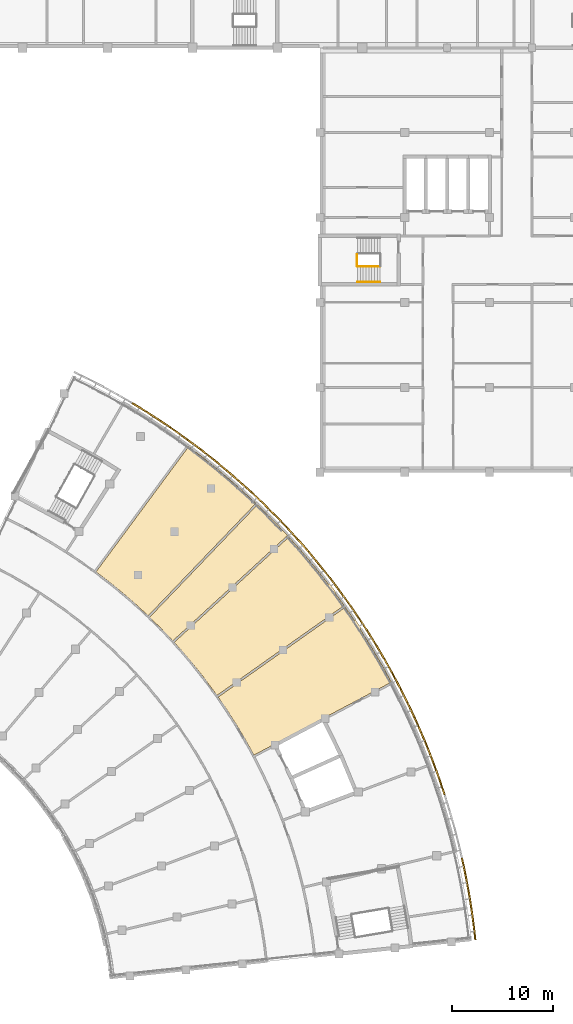
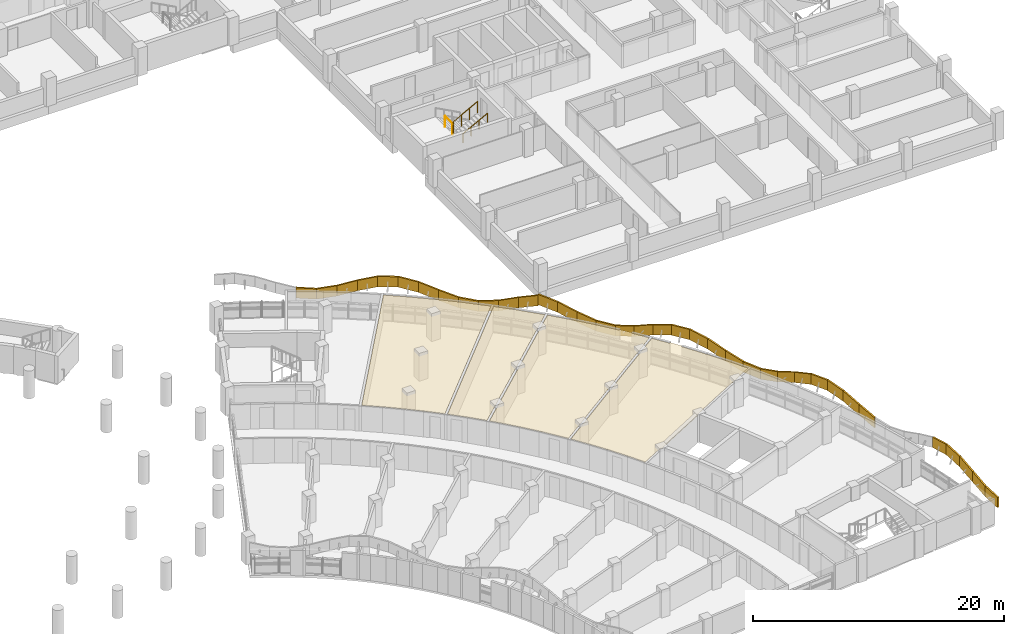
# One storey, part 86 of 89: 40 coverings, 3 railings.
"""IFC4 building model written with IfcOpenShell, lengths in metres."""

from ifc_helpers import new_model, si_unit, direction, frame, origin, origin_2d, place, context, subcontext, project, spatial, polyline, circle, outline, extrude, material, layer, layer_set, type_object, element, save


model = new_model("IFC4")

# Units and contexts
model_context = context("Model", 3, precision=1e-05, world=origin(), true_north=direction((0.0, 1.0)))
body_context = subcontext(model_context, "Body", "Model", "MODEL_VIEW")
ifc_project = project(units=[si_unit("LENGTHUNIT", "METRE"), si_unit("AREAUNIT", "SQUARE_METRE"), si_unit("VOLUMEUNIT", "CUBIC_METRE"), si_unit("PLANEANGLEUNIT", "RADIAN"), si_unit("MASSUNIT", "GRAM", prefix="KILO")], contexts=[model_context])

# Site, building, storey
site_placement = place(None, origin())
site = spatial("IfcSite", under=ifc_project, at=site_placement, CompositionType="ELEMENT")
building_placement = place(site_placement, origin())
building = spatial("IfcBuilding", under=site, at=building_placement, Name="Bougainvillea Quay General Hospital", CompositionType="ELEMENT")
storey_placement = place(building_placement, frame((0.0, 0.0, 9.89990234375)))
storey = spatial("IfcBuildingStorey", under=building, at=storey_placement, Name="L01M", CompositionType="ELEMENT", Elevation=9.89990234375)

# Coverings
ifc_material_1 = material(Name="Powder-coated aluminium fascia, green", Category="aluminium")
ifc_layer_1 = layer(ifc_material_1, 0.14990234375)
ifc_layer_set_1 = layer_set([ifc_layer_1], Name="Powder-coated aluminium fascia, green")
covering_type_1 = type_object("IfcCoveringType", Name="Aluminium wave fascia ribbon green 150x1000", PredefinedType="CLADDING", material=ifc_layer_set_1)
covering_1_placement = place(storey_placement, frame((160.421142578125, 70.15087890625, 2.846923828125), z_axis=(-0.208898988744, 0.216974487766, 0.953563466247), x_axis=(-0.661057484289, 0.687230895207, -0.301192129942)))
element("IfcCovering", 1, at=covering_1_placement, inside=storey, type_object=covering_type_1, Name="Fascia ribbon green a10 1", PredefinedType="CLADDING", context=body_context, shape_type="SweptSolid", body=[
    extrude(outline(polyline([(0.0, 0.0), (1.7069977464622674, 1.577514160966409e-16), (1.708769162960237, -0.15001370489592156), (-2.1509809979697314e-05, -0.15004720340323566), (0.0, 0.0)])), origin(), (-0.301192129942, -0.000129230005, 0.953563466247), 1.0),
])
covering_2_placement = place(storey_placement, frame((159.292724609375, 71.323974609375, 2.332275390625), z_axis=(-0.242142536117, 0.239398158272, 0.940242263472), x_axis=(-0.667379747903, 0.662314239688, -0.340505682766)))
element("IfcCovering", 2, at=covering_2_placement, inside=storey, type_object=covering_type_1, Name="Fascia ribbon green a10 2", PredefinedType="CLADDING", context=body_context, shape_type="SweptSolid", body=[
    extrude(outline(polyline([(0.0, 0.0), (1.7350876520525562, 8.4893030105615e-17), (1.7368266801202252, -0.15002600499492122), (-0.0019229514952548684, -0.15001283410242125), (0.0, 0.0)])), origin(), (-0.340505682766, -0.000604967188, 0.940242263472), 1.0),
])
covering_3_placement = place(storey_placement, frame((158.134765625, 72.47314453125, 1.740966796875), z_axis=(-0.143414433526, 0.134758689832, 0.980444998851), x_axis=(-0.711880273583, 0.674165735505, -0.196791862518)))
element("IfcCovering", 3, at=covering_3_placement, inside=storey, type_object=covering_type_1, Name="Fascia ribbon green a10 3", PredefinedType="CLADDING", context=body_context, shape_type="SweptSolid", body=[
    extrude(outline(polyline([(0.0, 0.0), (1.6636588094974272, -4.336808689942018e-18), (1.6654633662579925, -0.149950123717669), (-0.0018972781886597402, -0.1500240877967479), (0.0, 0.0)])), origin(), (-0.196791862518, -0.000753044074, 0.980444998851), 1.0),
])
covering_4_placement = place(storey_placement, frame((156.950439453125, 73.5947265625, 1.41357421875), z_axis=(0.056163530186, -0.050799943879, 0.997128388714), x_axis=(-0.739554838582, 0.668822595569, 0.075729626872)))
element("IfcCovering", 4, at=covering_4_placement, inside=storey, type_object=covering_type_1, Name="Fascia ribbon green a10 4", PredefinedType="CLADDING", context=body_context, shape_type="SweptSolid", body=[
    extrude(outline(polyline([(0.0, 0.0), (1.6360575132268493, -6.388322488191933e-18), (1.6377018746248249, -0.14994376992535677), (-0.0016677506624948064, -0.14995166041761274), (0.0, 0.0)])), origin(), (0.075729626872, -5.90626e-06, 0.997128388714), 1.0),
])
covering_5_placement = place(storey_placement, frame((155.740478515625, 74.68896484375, 1.537841796875), z_axis=(0.223923222162, -0.192524160895, 0.955401924871), x_axis=(-0.723362731139, 0.624130947728, 0.295308176804)))
element("IfcCovering", 5, at=covering_5_placement, inside=storey, type_object=covering_type_1, Name="Fascia ribbon green a10 5", PredefinedType="CLADDING", context=body_context, shape_type="SweptSolid", body=[
    extrude(outline(polyline([(0.0, 0.0), (1.7074304269446012, 1.8908485888147197e-16), (1.7091043501153145, -0.14985022726681538), (-0.0020005664425924983, -0.14994106102120391), (0.0, 0.0)])), origin(), (0.295308176804, 0.000492610031, 0.955401924871), 1.0),
])
covering_6_placement = place(storey_placement, frame((154.50537109375, 75.754638671875, 2.04248046875), z_axis=(0.264422993488, -0.217842149698, 0.939481387963), x_axis=(-0.725335860823, 0.597087249061, 0.342599921211)))
element("IfcCovering", 6, at=covering_6_placement, inside=storey, type_object=covering_type_1, Name="Fascia ribbon green a10 6", PredefinedType="CLADDING", context=body_context, shape_type="SweptSolid", body=[
    extrude(outline(polyline([(0.0, 0.0), (1.7361055267834433, -1.4625887306829455e-16), (1.7380045223027285, -0.15002524296601566), (-0.0020085158300612105, -0.1498471122376048), (0.0, 0.0)])), origin(), (0.342599921211, -0.000125125405, 0.939481387963), 1.0),
])
covering_7_placement = place(storey_placement, frame((153.24609375, 76.791259765625, 2.6376953125), z_axis=(0.161644232564, -0.128019133264, 0.978510216399), x_axis=(-0.769684999638, 0.604208571287, 0.206196517224)))
element("IfcCovering", 7, at=covering_7_placement, inside=storey, type_object=covering_type_1, Name="Fascia ribbon green a10 7", PredefinedType="CLADDING", context=body_context, shape_type="SweptSolid", body=[
    extrude(outline(polyline([(0.0, 0.0), (1.6671761766308089, 1.734723475976807e-16), (1.6688362785318782, -0.1499036874291386), (-0.0017380409500020904, -0.15002561890324642), (0.0, 0.0)])), origin(), (0.206196517224, -0.000867575725, 0.978510216399), 1.0),
])
covering_8_placement = place(storey_placement, frame((151.962890625, 77.798583984375, 2.981689453125), z_axis=(-0.05123642737, 0.03836216739, 0.997949484004), x_axis=(-0.799111763416, 0.59776547491, -0.064006457299)))
element("IfcCovering", 8, at=covering_8_placement, inside=storey, type_object=covering_type_1, Name="Fascia ribbon green a10 8", PredefinedType="CLADDING", context=body_context, shape_type="SweptSolid", body=[
    extrude(outline(polyline([(0.0, 0.0), (1.6345127282827399, 2.5311546749621355e-16), (1.636273767637993, -0.1499046775912045), (-0.0018935579189607726, -0.14990008002689542), (0.0, 0.0)])), origin(), (-0.064006457299, 2.8291892e-05, 0.997949484004), 1.0),
])
covering_9_placement = place(storey_placement, frame((150.65673828125, 78.775634765625, 2.876708984375), z_axis=(-0.235684576956, 0.167875228142, 0.957220292285), x_axis=(-0.779608847631, 0.555410418758, -0.289360175958)))
element("IfcCovering", 9, at=covering_9_placement, inside=storey, type_object=covering_type_1, Name="Fascia ribbon green a10 9", PredefinedType="CLADDING", context=body_context, shape_type="SweptSolid", body=[
    extrude(outline(polyline([(0.0, 0.0), (1.7042151117597941, 5.892638807458717e-17), (1.7060262143736173, -0.15013654977285634), (-0.0017855360083926808, -0.14990522511150106), (0.0, 0.0)])), origin(), (-0.289360175958, -2.4656425e-05, 0.957220292285), 1.0),
])
covering_10_placement = place(storey_placement, frame((149.328125, 79.72216796875, 2.383056640625), z_axis=(-0.284911498852, 0.193302786832, 0.938860730047), x_axis=(-0.776982420881, 0.527027313728, -0.344297151058)))
element("IfcCovering", 10, at=covering_10_placement, inside=storey, type_object=covering_type_1, Name="Fascia ribbon green a10 10", PredefinedType="CLADDING", context=body_context, shape_type="SweptSolid", body=[
    extrude(outline(polyline([(0.0, 0.0), (1.7375781888079538, -2.7484525072507537e-17), (1.739402855654373, -0.14990670887471536), (-0.0018566718139848564, -0.1501369526036427), (0.0, 0.0)])), origin(), (-0.344297151058, 3.6725386e-05, 0.938860730047), 1.0),
])
covering_11_placement = place(storey_placement, frame((147.97802734375, 80.637939453125, 1.784423828125), z_axis=(-0.180958785201, 0.116781541612, 0.976532636217), x_axis=(-0.820748896614, 0.529138212135, -0.215369452721)))
element("IfcCovering", 11, at=covering_11_placement, inside=storey, type_object=covering_type_1, Name="Fascia ribbon green a10 11", PredefinedType="CLADDING", context=body_context, shape_type="SweptSolid", body=[
    extrude(outline(polyline([(0.0, 0.0), (1.6702734266912898, 1.8955919733193438e-16), (1.6719781021234363, -0.14995897737580388), (-0.0018384962870651971, -0.14990492026317084), (0.0, 0.0)])), origin(), (-0.215369452721, 9.6113352e-05, 0.976532636217), 1.0),
])
covering_12_placement = place(storey_placement, frame((146.607177734375, 81.521728515625, 1.424560546875), z_axis=(0.044924396366, -0.026550048283, 0.998637518596), x_axis=(-0.851594498555, 0.521597910504, 0.052176908572)))
element("IfcCovering", 12, at=covering_12_placement, inside=storey, type_object=covering_type_1, Name="Fascia ribbon green a10 12", PredefinedType="CLADDING", context=body_context, shape_type="SweptSolid", body=[
    extrude(outline(polyline([(0.0, 0.0), (1.633538061894274, -1.5734484028195883e-16), (1.6353645819843967, -0.14975774100057798), (-0.0017804356626411506, -0.1499581604384578), (0.0, 0.0)])), origin(), (0.052176908572, 0.000822596221, 0.998637518596), 1.0),
])
covering_13_placement = place(storey_placement, frame((179.114990234375, 29.351806640625, 1.405029296875), z_axis=(0.011372554499, -0.099795030273, 0.994943021955), x_axis=(-0.115488523967, 0.988217637933, 0.100440534203)))
element("IfcCovering", 13, at=covering_13_placement, inside=storey, type_object=covering_type_1, Name="Fascia ribbon green a14 1", PredefinedType="CLADDING", context=body_context, shape_type="SweptSolid", body=[
    extrude(outline(polyline([(0.0, 0.0), (1.6362182649160628, 2.6156377411212794e-18), (1.6378621654710002, -0.1501295402858194), (-6.946956218436759e-05, -0.14993114819909978), (0.0, 0.0)])), origin(), (0.100440534203, -0.000286621801, 0.994943021955), 1.0),
])
covering_14_placement = place(storey_placement, frame((178.926025390625, 30.96875, 1.56982421875), z_axis=(0.042688586217, -0.303812920619, 0.951774865119), x_axis=(-0.132347160785, 0.942528314483, 0.306797336087)))
element("IfcCovering", 14, at=covering_14_placement, inside=storey, type_object=covering_type_1, Name="Fascia ribbon green a14 2", PredefinedType="CLADDING", context=body_context, shape_type="SweptSolid", body=[
    extrude(outline(polyline([(0.0, 0.0), (1.7137595954394182, 5.1665621650723303e-17), (1.7156966074809943, -0.149910864340059), (-0.0019111704642706773, -0.15012693740470218), (0.0, 0.0)])), origin(), (0.306797336087, 2.6423761e-05, 0.951774865119), 1.0),
])
covering_15_placement = place(storey_placement, frame((178.69921875, 32.583984375, 2.09619140625), z_axis=(0.05473846931, -0.333382034188, 0.941201423319), x_axis=(-0.152539452427, 0.928758222004, 0.337845941982)))
element("IfcCovering", 15, at=covering_15_placement, inside=storey, type_object=covering_type_1, Name="Fascia ribbon green a14 3", PredefinedType="CLADDING", context=body_context, shape_type="SweptSolid", body=[
    extrude(outline(polyline([(0.0, 0.0), (1.7333799701381796, -3.249557198846398e-17), (1.7350493291953266, -0.14994649942165872), (-0.0016827697413956827, -0.14991394924212428), (0.0, 0.0)])), origin(), (0.337845941982, -1.5109513e-05, 0.941201423319), 1.0),
])
covering_16_placement = place(storey_placement, frame((178.434814453125, 34.19384765625, 2.682373046875), z_axis=(0.034371917696, -0.182913112671, 0.982528047685), x_axis=(-0.18161913172, 0.965596114558, 0.186114573701)))
element("IfcCovering", 16, at=covering_16_placement, inside=storey, type_object=covering_type_1, Name="Fascia ribbon green a14 4", PredefinedType="CLADDING", context=body_context, shape_type="SweptSolid", body=[
    extrude(outline(polyline([(0.0, 0.0), (1.6601168582991512, 1.8641501103172642e-17), (1.661995037640346, -0.15014043137293862), (-0.0019283729724316819, -0.1499433528853017), (0.0, 0.0)])), origin(), (0.186114573701, -3.1130527e-05, 0.982528047685), 1.0),
])
covering_17_placement = place(storey_placement, frame((178.13330078125, 35.796875, 2.991455078125), z_axis=(-0.017578293957, 0.08676542357, 0.996073674411), x_axis=(-0.206741403867, 0.974382580364, -0.088524454305)))
element("IfcCovering", 17, at=covering_17_placement, inside=storey, type_object=covering_type_1, Name="Fascia ribbon green a14 5", PredefinedType="CLADDING", context=body_context, shape_type="SweptSolid", body=[
    extrude(outline(polyline([(0.0, 0.0), (1.6379083937649324, 3.9763114675905875e-17), (1.639572868693403, -0.14984577294781368), (-0.0016515562274149603, -0.15014236124141586), (0.0, 0.0)])), origin(), (-0.088524454305, 0.000810022052, 0.996073674411), 1.0),
])
covering_18_placement = place(storey_placement, frame((176.072509765625, 43.684326171875, 1.539306640625), z_axis=(0.094580763473, -0.280373001136, 0.955220110454), x_axis=(-0.305067537248, 0.905195704673, 0.295896154012)))
element("IfcCovering", 18, at=covering_18_placement, inside=storey, type_object=covering_type_1, Name="Fascia ribbon green a14 10", PredefinedType="CLADDING", context=body_context, shape_type="SweptSolid", body=[
    extrude(outline(polyline([(0.0, 0.0), (1.7078169837112185, 7.535882725132059e-17), (1.7096254184653088, -0.15001405593484393), (-0.0017258588159869952, -0.15015720346120187), (0.0, 0.0)])), origin(), (0.295896154012, 8.1399873e-05, 0.955220110454), 1.0),
])
covering_19_placement = place(storey_placement, frame((175.551513671875, 45.230224609375, 2.045166015625), z_axis=(0.116748291036, -0.321824048083, 0.93957390269), x_axis=(-0.320765394881, 0.883124394482, 0.34234611918)))
element("IfcCovering", 19, at=covering_19_placement, inside=storey, type_object=covering_type_1, Name="Fascia ribbon green a14 11", PredefinedType="CLADDING", context=body_context, shape_type="SweptSolid", body=[
    extrude(outline(polyline([(0.0, 0.0), (1.7361571931821116, 1.6477162516348454e-16), (1.7378660455721486, -0.1499500018414057), (-0.0018199143529780291, -0.15001387090520224), (0.0, 0.0)])), origin(), (0.34234611918, -0.000126754038, 0.93957390269), 1.0),
])
covering_20_placement = place(storey_placement, frame((174.99462890625, 46.763427734375, 2.64013671875), z_axis=(0.075220464361, -0.190916393962, 0.978719986645), x_axis=(-0.355341311632, 0.911935269417, 0.20519896842)))
element("IfcCovering", 20, at=covering_20_placement, inside=storey, type_object=covering_type_1, Name="Fascia ribbon green a14 12", PredefinedType="CLADDING", context=body_context, shape_type="SweptSolid", body=[
    extrude(outline(polyline([(0.0, 0.0), (1.6668092685954903, 8.180305391403131e-17), (1.6686173162772346, -0.15005140844011577), (-0.0018929770338955677, -0.1499478404396907), (0.0, 0.0)])), origin(), (0.20519896842, 0.000755712591, 0.978719986645), 1.0),
])
covering_21_placement = place(storey_placement, frame((174.40234375, 48.283447265625, 2.982177734375), z_axis=(-0.025153121485, 0.060303678148, 0.997863110292), x_axis=(-0.383793502279, 0.921104410525, -0.065339211189)))
element("IfcCovering", 21, at=covering_21_placement, inside=storey, type_object=covering_type_1, Name="Fascia ribbon green a14 13", PredefinedType="CLADDING", context=body_context, shape_type="SweptSolid", body=[
    extrude(outline(polyline([(0.0, 0.0), (1.6348326514326679, -1.0642968982250284e-17), (1.636647635730343, -0.1499211206613176), (-0.0017025442113298324, -0.15005258736150648), (0.0, 0.0)])), origin(), (-0.065339211189, -2.4491302e-05, 0.997863110292), 1.0),
])
covering_22_placement = place(storey_placement, frame((173.77490234375, 49.789306640625, 2.875), z_axis=(-0.118546775881, 0.264634164, 0.957034702178), x_axis=(-0.388476071323, 0.874644237095, -0.289972068527)))
element("IfcCovering", 22, at=covering_22_placement, inside=storey, type_object=covering_type_1, Name="Fascia ribbon green a14 14", PredefinedType="CLADDING", context=body_context, shape_type="SweptSolid", body=[
    extrude(outline(polyline([(0.0, 0.0), (1.704352608356722, 1.0191500421363742e-17), (1.706237183804832, -0.1498721836326824), (-0.0018144215862667934, -0.14992275373321168), (0.0, 0.0)])), origin(), (-0.289972068527, -0.000882213982, 0.957034702178), 1.0),
])
covering_23_placement = place(storey_placement, frame((173.11279296875, 51.280029296875, 2.380126953125), z_axis=(-0.146993501928, 0.311066248841, 0.938951915288), x_axis=(-0.401034129719, 0.84900078237, -0.344048395339)))
element("IfcCovering", 23, at=covering_23_placement, inside=storey, type_object=covering_type_1, Name="Fascia ribbon green a14 15", PredefinedType="CLADDING", context=body_context, shape_type="SweptSolid", body=[
    extrude(outline(polyline([(0.0, 0.0), (1.7374132336641956, -7.83336069620777e-17), (1.7392788298333834, -0.1501257260342548), (-0.0018225071490353916, -0.1498739291378109), (0.0, 0.0)])), origin(), (-0.344048395339, -4.9415751e-05, 0.938951915288), 1.0),
])
covering_24_placement = place(storey_placement, frame((172.416015625, 52.755126953125, 1.781982421875), z_axis=(-0.096078692506, 0.191634270535, 0.976752369438), x_axis=(-0.437401611643, 0.873341301635, -0.214370709266)))
element("IfcCovering", 24, at=covering_24_placement, inside=storey, type_object=covering_type_1, Name="Fascia ribbon green a14 16", PredefinedType="CLADDING", context=body_context, shape_type="SweptSolid", body=[
    extrude(outline(polyline([(0.0, 0.0), (1.6700508760972792, -1.1863882272422632e-16), (1.6719247378680433, -0.15001874706975715), (-0.001750159132869564, -0.1501254916230293), (0.0, 0.0)])), origin(), (-0.214370709266, -8.8351595e-05, 0.976752369438), 1.0),
])
covering_25_placement = place(storey_placement, frame((171.685546875, 54.213623046875, 1.423828125), z_axis=(0.025112843837, -0.047348174317, 0.998562714837), x_axis=(-0.467901714671, 0.882153887297, 0.0535957511)))
element("IfcCovering", 25, at=covering_25_placement, inside=storey, type_object=covering_type_1, Name="Fascia ribbon green a14 17", PredefinedType="CLADDING", context=body_context, shape_type="SweptSolid", body=[
    extrude(outline(polyline([(0.0, 0.0), (1.6336772324801592, 5.755250063414069e-17), (1.6353227189777657, -0.15010006370090995), (-0.0016505214217736762, -0.1500213621073221), (0.0, 0.0)])), origin(), (0.0535957511, -8.99138e-07, 0.998562714837), 1.0),
])
covering_26_placement = place(storey_placement, frame((170.921142578125, 55.65478515625, 1.511474609375), z_axis=(0.138797423857, -0.247572110441, 0.958876073986), x_axis=(-0.468702349578, 0.836517446023, 0.283825069363)))
element("IfcCovering", 26, at=covering_26_placement, inside=storey, type_object=covering_type_1, Name="Fascia ribbon green a14 18", PredefinedType="CLADDING", context=body_context, shape_type="SweptSolid", body=[
    extrude(outline(polyline([(0.0, 0.0), (1.7012324350075443, -1.2948084444908137e-16), (1.7031926049519526, -0.14994537563529078), (-0.0018873998486524926, -0.15009788141874064), (0.0, 0.0)])), origin(), (0.283825069363, 6.8836666e-05, 0.958876073986), 1.0),
])
covering_27_placement = place(storey_placement, frame((170.123779296875, 57.077880859375, 1.994873046875), z_axis=(0.176073907771, -0.297300512003, 0.938408431636), x_axis=(-0.477613500134, 0.807772110979, 0.345527945634)))
element("IfcCovering", 27, at=covering_27_placement, inside=storey, type_object=covering_type_1, Name="Fascia ribbon green a14 19", PredefinedType="CLADDING", context=body_context, shape_type="SweptSolid", body=[
    extrude(outline(polyline([(0.0, 0.0), (1.7384441998455546, -1.4487651529837553e-16), (1.7403897075772914, -0.14996899559966345), (-0.001743390585277781, -0.1499490243579919), (0.0, 0.0)])), origin(), (0.345527945634, 0.000232854039, 0.938408431636), 1.0),
])
covering_28_placement = place(storey_placement, frame((169.29345703125, 58.482177734375, 2.595947265625), z_axis=(0.118078964788, -0.189471323498, 0.974760470909), x_axis=(-0.515533219899, 0.827274727556, 0.223253273948)))
element("IfcCovering", 28, at=covering_28_placement, inside=storey, type_object=covering_type_1, Name="Fascia ribbon green a14 20", PredefinedType="CLADDING", context=body_context, shape_type="SweptSolid", body=[
    extrude(outline(polyline([(0.0, 0.0), (1.6736255228283292, 1.07546079246984e-16), (1.6753357230693242, -0.15006937155984584), (-0.0017035047926612734, -0.1499703184597202), (0.0, 0.0)])), origin(), (0.223253273948, 4.981943e-06, 0.974760470909), 1.0),
])
covering_29_placement = place(storey_placement, frame((168.4306640625, 59.86669921875, 2.9697265625), z_axis=(-0.023572203641, 0.034470471297, 0.999127688448), x_axis=(-0.547919926494, 0.835488206746, -0.04175177289)))
element("IfcCovering", 29, at=covering_29_placement, inside=storey, type_object=covering_type_1, Name="Fascia ribbon green a14 21", PredefinedType="CLADDING", context=body_context, shape_type="SweptSolid", body=[
    extrude(outline(polyline([(0.0, 0.0), (1.6325927652341898, -1.2412081995885615e-16), (1.6343342916995782, -0.15004185981719642), (-0.0017865423006739715, -0.15006854005678527), (0.0, 0.0)])), origin(), (-0.04175177289, -0.00080724005, 0.999127688448), 1.0),
])
covering_30_placement = place(storey_placement, frame((167.5361328125, 61.230712890625, 2.9013671875), z_axis=(-0.157397475111, 0.228203789129, 0.960806466181), x_axis=(-0.545404209177, 0.791001463676, -0.277220008432)))
element("IfcCovering", 30, at=covering_30_placement, inside=storey, type_object=covering_type_1, Name="Fascia ribbon green a14 22", PredefinedType="CLADDING", context=body_context, shape_type="SweptSolid", body=[
    extrude(outline(polyline([(0.0, 0.0), (1.6978753401720805, 2.0456184489370255e-16), (1.6997227636620866, -0.15009699980210253), (-0.0018059288711390683, -0.15004189962646802), (0.0, 0.0)])), origin(), (-0.277220008432, -3.832605e-05, 0.960806466181), 1.0),
])
covering_31_placement = place(storey_placement, frame((166.610107421875, 62.57373046875, 2.43017578125), z_axis=(-0.203400598941, 0.280698468719, 0.93799603731), x_axis=(-0.55014070309, 0.759724807941, -0.346645962045)))
element("IfcCovering", 31, at=covering_31_placement, inside=storey, type_object=covering_type_1, Name="Fascia ribbon green a14 23", PredefinedType="CLADDING", context=body_context, shape_type="SweptSolid", body=[
    extrude(outline(polyline([(0.0, 0.0), (1.7391359756536762, -1.513681758061325e-16), (1.7410597673941943, -0.14989355244846297), (-0.0018330722700861364, -0.1500981447006711), (0.0, 0.0)])), origin(), (-0.346645962045, -0.000104828028, 0.93799603731), 1.0),
])
covering_32_placement = place(storey_placement, frame((165.6533203125, 63.89501953125, 1.82666015625), z_axis=(-0.140240280148, 0.184596223398, 0.972757368582), x_axis=(-0.588743162906, 0.774363217829, -0.231825570213)))
element("IfcCovering", 32, at=covering_32_placement, inside=storey, type_object=covering_type_1, Name="Fascia ribbon green a14 24", PredefinedType="CLADDING", context=body_context, shape_type="SweptSolid", body=[
    extrude(outline(polyline([(0.0, 0.0), (1.6769486362804427, 7.052735132018206e-17), (1.678622989369494, -0.14996492242182052), (-0.0017815167791667866, -0.14989431474271608), (0.0, 0.0)])), origin(), (-0.231825570213, 8.2849819e-05, 0.972757368582), 1.0),
])
covering_33_placement = place(storey_placement, frame((164.666015625, 65.193603515625, 1.437744140625), z_axis=(0.018613922442, -0.023382979695, 0.999553279296), x_axis=(-0.623211185685, 0.781482294661, 0.029887140508)))
element("IfcCovering", 33, at=covering_33_placement, inside=storey, type_object=covering_type_1, Name="Fascia ribbon green a14 25", PredefinedType="CLADDING", context=body_context, shape_type="SweptSolid", body=[
    extrude(outline(polyline([(0.0, 0.0), (1.6320162927189485, -9.489818327858279e-17), (1.6336194679978588, -0.14991841374065637), (-0.00186489257080652, -0.1499618972008101), (0.0, 0.0)])), origin(), (0.029887140508, -2.6083678e-05, 0.999553279296), 1.0),
])
covering_34_placement = place(storey_placement, frame((163.64892578125, 66.468994140625, 1.48681640625), z_axis=(0.173325472674, -0.207418681132, 0.962775036672), x_axis=(-0.617727288627, 0.738477342476, 0.27030392438)))
element("IfcCovering", 34, at=covering_34_placement, inside=storey, type_object=covering_type_1, Name="Fascia ribbon green a14 26", PredefinedType="CLADDING", context=body_context, shape_type="SweptSolid", body=[
    extrude(outline(polyline([(0.0, 0.0), (1.6943318917651247, 1.0102053742133688e-16), (1.696151447685674, -0.1501092521798509), (-0.001965231531812334, -0.1499149069905362), (0.0, 0.0)])), origin(), (0.27030392438, -0.000131245062, 0.962775036672), 1.0),
])
covering_35_placement = place(storey_placement, frame((162.602294921875, 67.72021484375, 1.9453125), z_axis=(0.228617514692, -0.261627972215, 0.937701890864), x_axis=(-0.618047203057, 0.705196936657, 0.347440549336)))
element("IfcCovering", 35, at=covering_35_placement, inside=storey, type_object=covering_type_1, Name="Fascia ribbon green a14 27", PredefinedType="CLADDING", context=body_context, shape_type="SweptSolid", body=[
    extrude(outline(polyline([(0.0, 0.0), (1.7396868381642454, 8.391724815037804e-17), (1.741745112289522, -0.15004380439068835), (-0.0017685913728867889, -0.15010985201318797), (0.0, 0.0)])), origin(), (0.347440549336, -0.000478065442, 0.937701890864), 1.0),
])
covering_36_placement = place(storey_placement, frame((161.527099609375, 68.947021484375, 2.55029296875), z_axis=(0.162299062386, -0.177414130027, 0.970661238958), x_axis=(-0.65655211284, 0.714928504046, 0.240450737633)))
element("IfcCovering", 36, at=covering_36_placement, inside=storey, type_object=covering_type_1, Name="Fascia ribbon green a14 28", PredefinedType="CLADDING", context=body_context, shape_type="SweptSolid", body=[
    extrude(outline(polyline([(0.0, 0.0), (1.6770723952262547, 8.321251673826247e-17), (1.6770704788606883, -0.15015440781163805), (-0.001574499790669612, -0.15004806711459606), (0.0, 0.0)])), origin(), (0.240450737633, -0.000449396037, 0.970661238958), 1.0),
])

# Railings
ifc_material_2 = material(Name="Stainless steel 304 balustrade", Category="steel")
railing_type_1 = type_object("IfcRailingType", Name="Stair guard 1100", PredefinedType="GUARDRAIL", material=ifc_material_2)
railing_1_placement = place(storey_placement, frame((167.485107421875, 97.175048828125, 1.35009765625)))
element("IfcRailing", 37, at=railing_1_placement, inside=storey, type_object=railing_type_1, Name="L01M ST-T1 stair guard 2", PredefinedType="GUARDRAIL", context=body_context, shape_type="SweptSolid", body=[
    extrude(circle(Radius=0.02392578125, at=origin_2d()), frame((0.0, 0.0, 1.076171875), z_axis=(0.0, -1.0, 0.0), x_axis=(1.0, 0.0, 0.0)), (0.0, 0.0, 1.0), 1.150146484375),
    extrude(circle(Radius=0.02099609375, at=origin_2d()), origin(), (0.0, 0.0, 1.0), 1.052001953125),
    extrude(circle(Radius=0.02099609375, at=origin_2d()), frame((0.0, -1.150146484375, 0.0)), (0.0, 0.0, 1.0), 1.052001953125),
])
railing_2_placement = place(storey_placement, frame((167.534912109375, 95.97509765625, 1.5)))
element("IfcRailing", 38, at=railing_2_placement, inside=storey, type_object=railing_type_1, Name="L01M ST-T1 stair guard 3", PredefinedType="GUARDRAIL", context=body_context, shape_type="SweptSolid", body=[
    extrude(circle(Radius=0.02392578125, at=origin_2d()), frame((0.0, 0.0, 1.076171875), z_axis=(0.881447119201, 0.0, 0.472282728937), x_axis=(0.0, 1.0, 0.0)), (0.0, 0.0, 1.0), 2.541259765625),
    extrude(circle(Radius=0.02099609375, at=origin_2d()), origin(), (0.0, 0.0, 1.0), 1.052001953125),
    extrude(circle(Radius=0.02099609375, at=origin_2d()), frame((0.74658203125, 0.0, 0.400146484375)), (0.0, 0.0, 1.0), 1.052001953125),
    extrude(circle(Radius=0.02099609375, at=origin_2d()), frame((1.493408203125, 0.0, 0.800048828125)), (0.0, 0.0, 1.0), 1.052001953125),
    extrude(circle(Radius=0.02099609375, at=origin_2d()), frame((2.239990234375, 0.0, 1.2001953125)), (0.0, 0.0, 1.0), 1.052001953125),
])
ifc_material_3 = material(Name="Stainless steel 304 handrail", Category="steel")
railing_type_2 = type_object("IfcRailingType", Name="Stair handrail 900", PredefinedType="HANDRAIL", material=ifc_material_3)
railing_3_placement = place(storey_placement, frame((167.534912109375, 94.425048828125, 1.5)))
element("IfcRailing", 39, at=railing_3_placement, inside=storey, type_object=railing_type_2, Name="L01M ST-T1 stair handrail 2", PredefinedType="HANDRAIL", context=body_context, shape_type="SweptSolid", body=[
    extrude(circle(Radius=0.02392578125, at=origin_2d()), frame((0.0, 0.0, 0.8759765625), z_axis=(0.881447119201, 0.0, 0.472282728937), x_axis=(0.0, 1.0, 0.0)), (0.0, 0.0, 1.0), 2.541259765625),
    extrude(circle(Radius=0.02099609375, at=origin_2d()), origin(), (0.0, 0.0, 1.0), 0.851806640625),
    extrude(circle(Radius=0.02099609375, at=origin_2d()), frame((0.74658203125, 0.0, 0.400146484375)), (0.0, 0.0, 1.0), 0.851806640625),
    extrude(circle(Radius=0.02099609375, at=origin_2d()), frame((1.493408203125, 0.0, 0.800048828125)), (0.0, 0.0, 1.0), 0.851806640625),
    extrude(circle(Radius=0.02099609375, at=origin_2d()), frame((2.239990234375, 0.0, 1.2001953125)), (0.0, 0.0, 1.0), 0.851806640625),
])

# Coverings
ifc_material_4 = material(Name="Mineral fibre ceiling tile")
ifc_layer_2 = layer(ifc_material_4, 0.030029296875)
ifc_layer_set_2 = layer_set([ifc_layer_2], Name="Mineral fibre ceiling tile")
covering_type_2 = type_object("IfcCoveringType", Name="Suspended ceiling mineral fibre tile", PredefinedType="CEILING", material=ifc_layer_set_2)
covering_37_placement = place(storey_placement, frame((0.0, 0.0, 2.3701171875)))
element("IfcCovering", 40, at=covering_37_placement, inside=storey, type_object=covering_type_2, Name="Ceiling Interstitial Service Space", PredefinedType="CEILING", context=body_context, shape_type="SweptSolid", body=[
    extrude(outline(polyline([(142.90234375, 64.799560546875), (142.95947265625, 64.7529296875), (143.01806640625, 64.7080078125), (143.0166015625, 64.706298828125), (144.2490234375, 63.700927734375), (144.250732421875, 63.702880859375), (144.306396484375, 63.654296875), (144.363525390625, 63.607666015625), (144.362060546875, 63.60595703125), (145.5615234375, 62.562255859375), (145.56298828125, 62.56396484375), (145.6171875, 62.513671875), (145.6728515625, 62.46533203125), (145.671142578125, 62.463623046875), (146.817626953125, 61.399169921875), (157.484375, 72.53076171875), (155.704345703125, 74.180419921875), (154.041748046875, 75.6162109375), (152.335205078125, 76.999267578125), (150.8232421875, 78.148193359375), (141.657958984375, 65.74755859375), (142.90087890625, 64.797607421875), (142.90234375, 64.799560546875)])), origin(), (0.0, 0.0, 1.0), 0.030029296875),
])
covering_38_placement = place(storey_placement, frame((0.0, 0.0, 2.3701171875)))
element("IfcCovering", 41, at=covering_38_placement, inside=storey, type_object=covering_type_2, Name="Ceiling Interstitial Service Space", PredefinedType="CEILING", context=body_context, shape_type="SweptSolid", body=[
    extrude(outline(polyline([(148.07421875, 60.160400390625), (148.075927734375, 60.162109375), (148.126708984375, 60.1083984375), (148.178955078125, 60.056640625), (148.177490234375, 60.054931640625), (149.25341796875, 58.92041015625), (160.6083984375, 69.348876953125), (158.890625, 71.15478515625), (157.629150390625, 72.392822265625), (146.9619140625, 61.2607421875), (148.07421875, 60.160400390625)])), origin(), (0.0, 0.0, 1.0), 0.030029296875),
])
covering_39_placement = place(storey_placement, frame((0.0, 0.0, 2.3701171875)))
element("IfcCovering", 42, at=covering_39_placement, inside=storey, type_object=covering_type_2, Name="Ceiling Air Handling Plant", PredefinedType="CEILING", context=body_context, shape_type="SweptSolid", body=[
    extrude(outline(polyline([(164.742919921875, 64.593017578125), (164.66455078125, 64.531005859375), (163.298583984375, 66.254638671875), (161.880615234375, 67.934326171875), (160.744140625, 69.201904296875), (149.38916015625, 58.7734375), (149.978759765625, 58.11865234375), (149.980224609375, 58.11962890625), (150.077880859375, 58.008544921875), (150.07666015625, 58.00732421875), (151.07568359375, 56.840087890625), (151.077392578125, 56.841552734375), (151.123779296875, 56.783935546875), (151.171630859375, 56.727783203125), (151.169921875, 56.726318359375), (152.13427734375, 55.527099609375), (152.136474609375, 55.52880859375), (152.180419921875, 55.469970703125), (152.2265625, 55.41259765625), (152.22412109375, 55.41064453125), (153.625732421875, 53.521728515625), (166.2158203125, 62.42041015625), (165.2939453125, 63.696533203125), (165.375, 63.7548828125), (164.742919921875, 64.593017578125)])), origin(), (0.0, 0.0, 1.0), 0.030029296875),
])
covering_40_placement = place(storey_placement, frame((0.0, 0.0, 2.3701171875)))
element("IfcCovering", 43, at=covering_40_placement, inside=storey, type_object=covering_type_2, Name="Ceiling Air Handling Plant", PredefinedType="CEILING", context=body_context, shape_type="SweptSolid", body=[
    extrude(outline(polyline([(164.150146484375, 51.1435546875), (164.103271484375, 51.232421875), (170.897705078125, 54.8349609375), (170.083984375, 56.328857421875), (168.973388671875, 58.22509765625), (167.80419921875, 60.087890625), (167.888916015625, 60.14111328125), (167.31005859375, 61.01708984375), (167.227783203125, 60.960205078125), (166.331298828125, 62.257080078125), (153.74169921875, 53.358642578125), (154.6240234375, 52.0673828125), (154.6259765625, 52.068603515625), (154.66552734375, 52.00634765625), (154.707275390625, 51.9453125), (154.705322265625, 51.944091796875), (155.560302734375, 50.603515625), (155.562255859375, 50.604736328125), (155.599853515625, 50.541259765625), (155.6396484375, 50.47900390625), (155.637451171875, 50.477783203125), (156.449462890625, 49.109619140625), (156.451416015625, 49.11083984375), (156.487060546875, 49.046142578125), (156.524658203125, 48.982666015625), (156.522705078125, 48.9814453125), (157.277099609375, 47.61181640625), (159.332275390625, 48.701416015625), (159.37890625, 48.61328125), (164.150146484375, 51.1435546875)])), origin(), (0.0, 0.0, 1.0), 0.030029296875),
])

save(model, "model.ifc")
